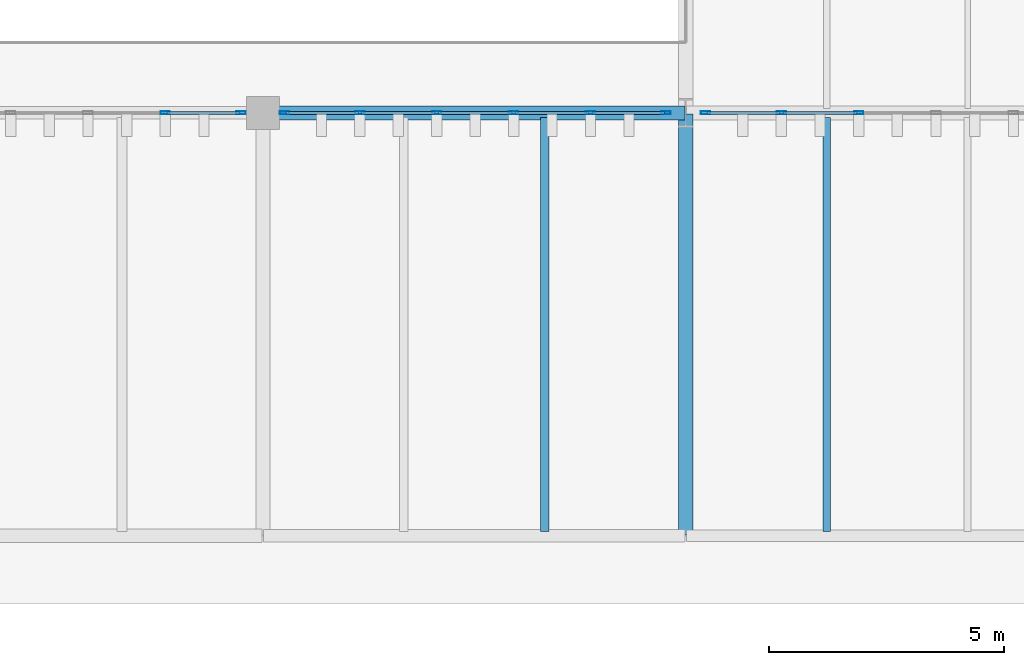
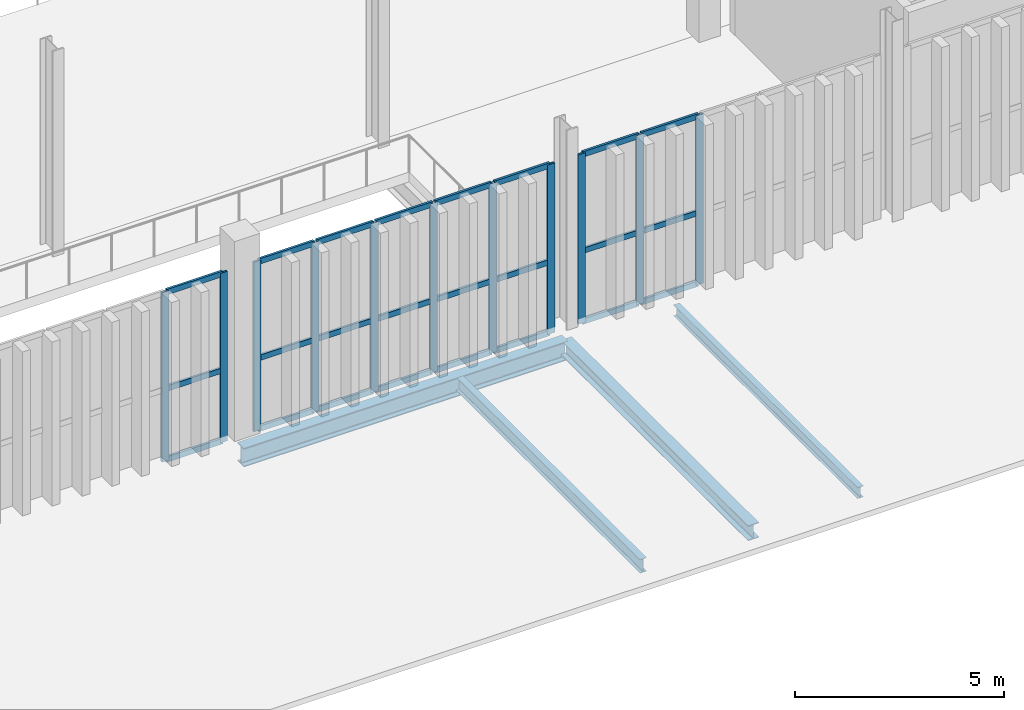
# One storey, part 67 of 211: 35 members, 4 beams, 3 elements without a shape of their own.
"""IFC4 building model written with IfcOpenShell, lengths in metres."""

from ifc_helpers import new_model, si_unit, direction, frame, origin, origin_2d, place, context, subcontext, project, spatial, hollow_rectangle, i_section, extrude, material, layer, layer_set, material_profile, profile_set, type_object, element, aggregate, save


model = new_model("IFC4")

# Units and contexts
model_context = context("Model", 3, precision=1e-05, world=origin(), true_north=direction((0.0, 1.0)))
body_context = subcontext(model_context, "Body", "Model", "MODEL_VIEW")
ifc_project = project(units=[si_unit("LENGTHUNIT", "METRE"), si_unit("AREAUNIT", "SQUARE_METRE"), si_unit("VOLUMEUNIT", "CUBIC_METRE"), si_unit("PLANEANGLEUNIT", "RADIAN"), si_unit("MASSUNIT", "GRAM", prefix="KILO")], contexts=[model_context])

# Site, building, storey
site_placement = place(None, origin())
site = spatial("IfcSite", under=ifc_project, at=site_placement, CompositionType="ELEMENT")
building_placement = place(site_placement, origin())
building = spatial("IfcBuilding", under=site, at=building_placement, Name="Barlavento Convention Centre", CompositionType="ELEMENT")
storey_placement = place(building_placement, frame((0.0, 0.0, 6.0)))
storey = spatial("IfcBuildingStorey", under=building, at=storey_placement, Name="L01", CompositionType="ELEMENT", Elevation=6.0)

# Curtain wall, members
ifc_material_1 = material(Name="Powder-coated aluminium and Low-E glass", Category="aluminium")
ifc_layer = layer(ifc_material_1, 0.195068359375)
ifc_layer_set = layer_set([ifc_layer], Name="ARC-CW-FOY-L01")
curtain_wall_type = type_object("IfcCurtainWallType", Name="ARC-CW-FOY-L01", PredefinedType="NOTDEFINED", material=ifc_layer_set)
curtain_wall_1_placement = place(storey_placement, origin())
curtain_wall_1 = element("IfcCurtainWall", 1, at=curtain_wall_1_placement, inside=storey, type_object=curtain_wall_type, Name="L01 unitised curtain wall CW03", PredefinedType="NOTDEFINED")
ifc_material_2 = material(Name="Powder-coated aluminium", Category="aluminium")
ifc_material_profile_1 = material_profile(ifc_material_2, hollow_rectangle(XDim=0.06494140625, YDim=0.199951171875, WallThickness=0.0048828125, at=origin_2d()), Name="AL-MULL 65x200x5")
ifc_profile_set_1 = profile_set([ifc_material_profile_1], Name="Powder-coated aluminium")
member_type_1 = type_object("IfcMemberType", Name="ARC-CWM-65X200", PredefinedType="MULLION", material=ifc_profile_set_1)
member_1_placement = place(storey_placement, frame((96.92431640625, 45.0, 0.0), z_axis=(0.0, 0.0, 1.0), x_axis=(0.0, 1.0, 0.0)))
member_1 = element("IfcMember", 2, at=member_1_placement, type_object=member_type_1, Name="CW03 mullion 5", PredefinedType="MULLION", context=body_context, shape_type="SweptSolid", body=[
    extrude(hollow_rectangle(XDim=0.06494140625, YDim=0.199951171875, WallThickness=0.0048828125, at=origin_2d()), origin(), (0.0, 0.0, 1.0), 4.949951171875),
])
member_2_placement = place(storey_placement, frame((98.53759765625, 45.0, 0.0), z_axis=(0.0, 0.0, 1.0), x_axis=(0.0, 1.0, 0.0)))
member_2 = element("IfcMember", 3, at=member_2_placement, type_object=member_type_1, Name="CW03 mullion 6", PredefinedType="MULLION", context=body_context, shape_type="SweptSolid", body=[
    extrude(hollow_rectangle(XDim=0.06494140625, YDim=0.199951171875, WallThickness=0.0048828125, at=origin_2d()), origin(), (0.0, 0.0, 1.0), 4.949951171875),
])

curtain_wall_2_placement = place(storey_placement, origin())
curtain_wall_2 = element("IfcCurtainWall", 4, at=curtain_wall_2_placement, inside=storey, type_object=curtain_wall_type, Name="L01 unitised curtain wall CW03", PredefinedType="NOTDEFINED")
member_3_placement = place(storey_placement, frame((99.46240234375, 45.0, 0.0), z_axis=(0.0, 0.0, 1.0), x_axis=(0.0, 1.0, 0.0)))
member_3 = element("IfcMember", 5, at=member_3_placement, type_object=member_type_1, Name="CW03 mullion 1", PredefinedType="MULLION", context=body_context, shape_type="SweptSolid", body=[
    extrude(hollow_rectangle(XDim=0.06494140625, YDim=0.199951171875, WallThickness=0.0048828125, at=origin_2d()), origin(), (0.0, 0.0, 1.0), 4.949951171875),
])
member_4_placement = place(storey_placement, frame((101.06591796875, 45.0, 0.0), z_axis=(0.0, 0.0, 1.0), x_axis=(0.0, 1.0, 0.0)))
member_4 = element("IfcMember", 6, at=member_4_placement, type_object=member_type_1, Name="CW03 mullion 2", PredefinedType="MULLION", context=body_context, shape_type="SweptSolid", body=[
    extrude(hollow_rectangle(XDim=0.06494140625, YDim=0.199951171875, WallThickness=0.0048828125, at=origin_2d()), origin(), (0.0, 0.0, 1.0), 4.949951171875),
])
member_5_placement = place(storey_placement, frame((102.701904296875, 45.0, 0.0), z_axis=(0.0, 0.0, 1.0), x_axis=(0.0, 1.0, 0.0)))
member_5 = element("IfcMember", 7, at=member_5_placement, type_object=member_type_1, Name="CW03 mullion 3", PredefinedType="MULLION", context=body_context, shape_type="SweptSolid", body=[
    extrude(hollow_rectangle(XDim=0.06494140625, YDim=0.199951171875, WallThickness=0.0048828125, at=origin_2d()), origin(), (0.0, 0.0, 1.0), 4.949951171875),
])
member_6_placement = place(storey_placement, frame((104.337890625, 45.0, 0.0), z_axis=(0.0, 0.0, 1.0), x_axis=(0.0, 1.0, 0.0)))
member_6 = element("IfcMember", 8, at=member_6_placement, type_object=member_type_1, Name="CW03 mullion 4", PredefinedType="MULLION", context=body_context, shape_type="SweptSolid", body=[
    extrude(hollow_rectangle(XDim=0.06494140625, YDim=0.199951171875, WallThickness=0.0048828125, at=origin_2d()), origin(), (0.0, 0.0, 1.0), 4.949951171875),
])
member_7_placement = place(storey_placement, frame((105.97412109375, 45.0, 0.0), z_axis=(0.0, 0.0, 1.0), x_axis=(0.0, 1.0, 0.0)))
member_7 = element("IfcMember", 9, at=member_7_placement, type_object=member_type_1, Name="CW03 mullion 5", PredefinedType="MULLION", context=body_context, shape_type="SweptSolid", body=[
    extrude(hollow_rectangle(XDim=0.06494140625, YDim=0.199951171875, WallThickness=0.0048828125, at=origin_2d()), origin(), (0.0, 0.0, 1.0), 4.949951171875),
])
member_8_placement = place(storey_placement, frame((107.577392578125, 45.0, 0.0), z_axis=(0.0, 0.0, 1.0), x_axis=(0.0, 1.0, 0.0)))
member_8 = element("IfcMember", 10, at=member_8_placement, type_object=member_type_1, Name="CW03 mullion 6", PredefinedType="MULLION", context=body_context, shape_type="SweptSolid", body=[
    extrude(hollow_rectangle(XDim=0.06494140625, YDim=0.199951171875, WallThickness=0.0048828125, at=origin_2d()), origin(), (0.0, 0.0, 1.0), 4.949951171875),
])

curtain_wall_3_placement = place(storey_placement, origin())
curtain_wall_3 = element("IfcCurtainWall", 11, at=curtain_wall_3_placement, inside=storey, type_object=curtain_wall_type, Name="L01 unitised curtain wall CW03", PredefinedType="NOTDEFINED")
member_9_placement = place(storey_placement, frame((108.422607421875, 45.0, 0.0), z_axis=(0.0, 0.0, 1.0), x_axis=(0.0, 1.0, 0.0)))
member_9 = element("IfcMember", 12, at=member_9_placement, type_object=member_type_1, Name="CW03 mullion 1", PredefinedType="MULLION", context=body_context, shape_type="SweptSolid", body=[
    extrude(hollow_rectangle(XDim=0.06494140625, YDim=0.199951171875, WallThickness=0.0048828125, at=origin_2d()), origin(), (0.0, 0.0, 1.0), 4.949951171875),
])
member_10_placement = place(storey_placement, frame((110.035888671875, 45.0, 0.0), z_axis=(0.0, 0.0, 1.0), x_axis=(0.0, 1.0, 0.0)))
member_10 = element("IfcMember", 13, at=member_10_placement, type_object=member_type_1, Name="CW03 mullion 2", PredefinedType="MULLION", context=body_context, shape_type="SweptSolid", body=[
    extrude(hollow_rectangle(XDim=0.06494140625, YDim=0.199951171875, WallThickness=0.0048828125, at=origin_2d()), origin(), (0.0, 0.0, 1.0), 4.949951171875),
])
member_11_placement = place(storey_placement, frame((111.681884765625, 45.0, 0.0), z_axis=(0.0, 0.0, 1.0), x_axis=(0.0, 1.0, 0.0)))
member_11 = element("IfcMember", 14, at=member_11_placement, type_object=member_type_1, Name="CW03 mullion 3", PredefinedType="MULLION", context=body_context, shape_type="SweptSolid", body=[
    extrude(hollow_rectangle(XDim=0.06494140625, YDim=0.199951171875, WallThickness=0.0048828125, at=origin_2d()), origin(), (0.0, 0.0, 1.0), 4.949951171875),
])

# Member
ifc_material_profile_2 = material_profile(ifc_material_2, hollow_rectangle(XDim=0.06494140625, YDim=0.159912109375, WallThickness=0.0048828125, at=origin_2d()), Name="AL-TRAN 65x160x5")
ifc_profile_set_2 = profile_set([ifc_material_profile_2], Name="Powder-coated aluminium")
member_type_2 = type_object("IfcMemberType", Name="ARC-CWT-65X160", PredefinedType="USERDEFINED", material=ifc_profile_set_2)
member_12_placement = place(storey_placement, frame((96.956787109375, 45.0, 0.032470703125), z_axis=(1.0, 0.0, 0.0), x_axis=(0.0, 1.0, 0.0)))
member_12 = element("IfcMember", 15, at=member_12_placement, type_object=member_type_2, Name="CW03 transom 5.1", ObjectType="TRANSOM", PredefinedType="USERDEFINED", context=body_context, shape_type="SweptSolid", body=[
    extrude(hollow_rectangle(XDim=0.06494140625, YDim=0.159912109375, WallThickness=0.0048828125, at=origin_2d()), origin(), (0.0, 0.0, 1.0), 1.548095703125),
])

member_13_placement = place(storey_placement, frame((96.956787109375, 45.0, 2.10009765625), z_axis=(1.0, 0.0, 0.0), x_axis=(0.0, 1.0, 0.0)))
member_13 = element("IfcMember", 16, at=member_13_placement, type_object=member_type_2, Name="CW03 transom 5.2", ObjectType="TRANSOM", PredefinedType="USERDEFINED", context=body_context, shape_type="SweptSolid", body=[
    extrude(hollow_rectangle(XDim=0.06494140625, YDim=0.159912109375, WallThickness=0.0048828125, at=origin_2d()), origin(), (0.0, 0.0, 1.0), 1.548095703125),
])

member_14_placement = place(storey_placement, frame((96.956787109375, 45.0, 4.91748046875), z_axis=(1.0, 0.0, 0.0), x_axis=(0.0, 1.0, 0.0)))
member_14 = element("IfcMember", 17, at=member_14_placement, type_object=member_type_2, Name="CW03 transom 5.3", ObjectType="TRANSOM", PredefinedType="USERDEFINED", context=body_context, shape_type="SweptSolid", body=[
    extrude(hollow_rectangle(XDim=0.06494140625, YDim=0.159912109375, WallThickness=0.0048828125, at=origin_2d()), origin(), (0.0, 0.0, 1.0), 1.548095703125),
])

aggregate(curtain_wall_1, [member_1, member_2, member_12, member_13, member_14])

member_15_placement = place(storey_placement, frame((99.4951171875, 45.0, 0.032470703125), z_axis=(1.0, 0.0, 0.0), x_axis=(0.0, 1.0, 0.0)))
member_15 = element("IfcMember", 18, at=member_15_placement, type_object=member_type_2, Name="CW03 transom 1.1", ObjectType="TRANSOM", PredefinedType="USERDEFINED", context=body_context, shape_type="SweptSolid", body=[
    extrude(hollow_rectangle(XDim=0.06494140625, YDim=0.159912109375, WallThickness=0.0048828125, at=origin_2d()), origin(), (0.0, 0.0, 1.0), 1.538330078125),
])

member_16_placement = place(storey_placement, frame((99.4951171875, 45.0, 2.10009765625), z_axis=(1.0, 0.0, 0.0), x_axis=(0.0, 1.0, 0.0)))
member_16 = element("IfcMember", 19, at=member_16_placement, type_object=member_type_2, Name="CW03 transom 1.2", ObjectType="TRANSOM", PredefinedType="USERDEFINED", context=body_context, shape_type="SweptSolid", body=[
    extrude(hollow_rectangle(XDim=0.06494140625, YDim=0.159912109375, WallThickness=0.0048828125, at=origin_2d()), origin(), (0.0, 0.0, 1.0), 1.538330078125),
])

member_17_placement = place(storey_placement, frame((99.4951171875, 45.0, 4.91748046875), z_axis=(1.0, 0.0, 0.0), x_axis=(0.0, 1.0, 0.0)))
member_17 = element("IfcMember", 20, at=member_17_placement, type_object=member_type_2, Name="CW03 transom 1.3", ObjectType="TRANSOM", PredefinedType="USERDEFINED", context=body_context, shape_type="SweptSolid", body=[
    extrude(hollow_rectangle(XDim=0.06494140625, YDim=0.159912109375, WallThickness=0.0048828125, at=origin_2d()), origin(), (0.0, 0.0, 1.0), 1.538330078125),
])

member_18_placement = place(storey_placement, frame((101.098388671875, 45.0, 0.032470703125), z_axis=(1.0, 0.0, 0.0), x_axis=(0.0, 1.0, 0.0)))
member_18 = element("IfcMember", 21, at=member_18_placement, type_object=member_type_2, Name="CW03 transom 2.1", ObjectType="TRANSOM", PredefinedType="USERDEFINED", context=body_context, shape_type="SweptSolid", body=[
    extrude(hollow_rectangle(XDim=0.06494140625, YDim=0.159912109375, WallThickness=0.0048828125, at=origin_2d()), origin(), (0.0, 0.0, 1.0), 1.571044921875),
])

member_19_placement = place(storey_placement, frame((101.098388671875, 45.0, 2.10009765625), z_axis=(1.0, 0.0, 0.0), x_axis=(0.0, 1.0, 0.0)))
member_19 = element("IfcMember", 22, at=member_19_placement, type_object=member_type_2, Name="CW03 transom 2.2", ObjectType="TRANSOM", PredefinedType="USERDEFINED", context=body_context, shape_type="SweptSolid", body=[
    extrude(hollow_rectangle(XDim=0.06494140625, YDim=0.159912109375, WallThickness=0.0048828125, at=origin_2d()), origin(), (0.0, 0.0, 1.0), 1.571044921875),
])

member_20_placement = place(storey_placement, frame((101.098388671875, 45.0, 4.91748046875), z_axis=(1.0, 0.0, 0.0), x_axis=(0.0, 1.0, 0.0)))
member_20 = element("IfcMember", 23, at=member_20_placement, type_object=member_type_2, Name="CW03 transom 2.3", ObjectType="TRANSOM", PredefinedType="USERDEFINED", context=body_context, shape_type="SweptSolid", body=[
    extrude(hollow_rectangle(XDim=0.06494140625, YDim=0.159912109375, WallThickness=0.0048828125, at=origin_2d()), origin(), (0.0, 0.0, 1.0), 1.571044921875),
])

member_21_placement = place(storey_placement, frame((102.734619140625, 45.0, 0.032470703125), z_axis=(1.0, 0.0, 0.0), x_axis=(0.0, 1.0, 0.0)))
member_21 = element("IfcMember", 24, at=member_21_placement, type_object=member_type_2, Name="CW03 transom 3.1", ObjectType="TRANSOM", PredefinedType="USERDEFINED", context=body_context, shape_type="SweptSolid", body=[
    extrude(hollow_rectangle(XDim=0.06494140625, YDim=0.159912109375, WallThickness=0.0048828125, at=origin_2d()), origin(), (0.0, 0.0, 1.0), 1.57080078125),
])

member_22_placement = place(storey_placement, frame((102.734619140625, 45.0, 2.10009765625), z_axis=(1.0, 0.0, 0.0), x_axis=(0.0, 1.0, 0.0)))
member_22 = element("IfcMember", 25, at=member_22_placement, type_object=member_type_2, Name="CW03 transom 3.2", ObjectType="TRANSOM", PredefinedType="USERDEFINED", context=body_context, shape_type="SweptSolid", body=[
    extrude(hollow_rectangle(XDim=0.06494140625, YDim=0.159912109375, WallThickness=0.0048828125, at=origin_2d()), origin(), (0.0, 0.0, 1.0), 1.57080078125),
])

member_23_placement = place(storey_placement, frame((102.734619140625, 45.0, 4.91748046875), z_axis=(1.0, 0.0, 0.0), x_axis=(0.0, 1.0, 0.0)))
member_23 = element("IfcMember", 26, at=member_23_placement, type_object=member_type_2, Name="CW03 transom 3.3", ObjectType="TRANSOM", PredefinedType="USERDEFINED", context=body_context, shape_type="SweptSolid", body=[
    extrude(hollow_rectangle(XDim=0.06494140625, YDim=0.159912109375, WallThickness=0.0048828125, at=origin_2d()), origin(), (0.0, 0.0, 1.0), 1.57080078125),
])

member_24_placement = place(storey_placement, frame((104.37060546875, 45.0, 0.032470703125), z_axis=(1.0, 0.0, 0.0), x_axis=(0.0, 1.0, 0.0)))
member_24 = element("IfcMember", 27, at=member_24_placement, type_object=member_type_2, Name="CW03 transom 4.1", ObjectType="TRANSOM", PredefinedType="USERDEFINED", context=body_context, shape_type="SweptSolid", body=[
    extrude(hollow_rectangle(XDim=0.06494140625, YDim=0.159912109375, WallThickness=0.0048828125, at=origin_2d()), origin(), (0.0, 0.0, 1.0), 1.57080078125),
])

member_25_placement = place(storey_placement, frame((104.37060546875, 45.0, 2.10009765625), z_axis=(1.0, 0.0, 0.0), x_axis=(0.0, 1.0, 0.0)))
member_25 = element("IfcMember", 28, at=member_25_placement, type_object=member_type_2, Name="CW03 transom 4.2", ObjectType="TRANSOM", PredefinedType="USERDEFINED", context=body_context, shape_type="SweptSolid", body=[
    extrude(hollow_rectangle(XDim=0.06494140625, YDim=0.159912109375, WallThickness=0.0048828125, at=origin_2d()), origin(), (0.0, 0.0, 1.0), 1.57080078125),
])

member_26_placement = place(storey_placement, frame((104.37060546875, 45.0, 4.91748046875), z_axis=(1.0, 0.0, 0.0), x_axis=(0.0, 1.0, 0.0)))
member_26 = element("IfcMember", 29, at=member_26_placement, type_object=member_type_2, Name="CW03 transom 4.3", ObjectType="TRANSOM", PredefinedType="USERDEFINED", context=body_context, shape_type="SweptSolid", body=[
    extrude(hollow_rectangle(XDim=0.06494140625, YDim=0.159912109375, WallThickness=0.0048828125, at=origin_2d()), origin(), (0.0, 0.0, 1.0), 1.57080078125),
])

member_27_placement = place(storey_placement, frame((106.006591796875, 45.0, 0.032470703125), z_axis=(1.0, 0.0, 0.0), x_axis=(0.0, 1.0, 0.0)))
member_27 = element("IfcMember", 30, at=member_27_placement, type_object=member_type_2, Name="CW03 transom 5.1", ObjectType="TRANSOM", PredefinedType="USERDEFINED", context=body_context, shape_type="SweptSolid", body=[
    extrude(hollow_rectangle(XDim=0.06494140625, YDim=0.159912109375, WallThickness=0.0048828125, at=origin_2d()), origin(), (0.0, 0.0, 1.0), 1.538330078125),
])

member_28_placement = place(storey_placement, frame((106.006591796875, 45.0, 2.10009765625), z_axis=(1.0, 0.0, 0.0), x_axis=(0.0, 1.0, 0.0)))
member_28 = element("IfcMember", 31, at=member_28_placement, type_object=member_type_2, Name="CW03 transom 5.2", ObjectType="TRANSOM", PredefinedType="USERDEFINED", context=body_context, shape_type="SweptSolid", body=[
    extrude(hollow_rectangle(XDim=0.06494140625, YDim=0.159912109375, WallThickness=0.0048828125, at=origin_2d()), origin(), (0.0, 0.0, 1.0), 1.538330078125),
])

member_29_placement = place(storey_placement, frame((106.006591796875, 45.0, 4.91748046875), z_axis=(1.0, 0.0, 0.0), x_axis=(0.0, 1.0, 0.0)))
member_29 = element("IfcMember", 32, at=member_29_placement, type_object=member_type_2, Name="CW03 transom 5.3", ObjectType="TRANSOM", PredefinedType="USERDEFINED", context=body_context, shape_type="SweptSolid", body=[
    extrude(hollow_rectangle(XDim=0.06494140625, YDim=0.159912109375, WallThickness=0.0048828125, at=origin_2d()), origin(), (0.0, 0.0, 1.0), 1.538330078125),
])

aggregate(curtain_wall_2, [member_3, member_4, member_5, member_6, member_7, member_8, member_15, member_16, member_17, member_18, member_19, member_20, member_21, member_22, member_23, member_24, member_25, member_26, member_27, member_28, member_29])

member_30_placement = place(storey_placement, frame((108.455078125, 45.0, 0.032470703125), z_axis=(1.0, 0.0, 0.0), x_axis=(0.0, 1.0, 0.0)))
member_30 = element("IfcMember", 33, at=member_30_placement, type_object=member_type_2, Name="CW03 transom 1.1", ObjectType="TRANSOM", PredefinedType="USERDEFINED", context=body_context, shape_type="SweptSolid", body=[
    extrude(hollow_rectangle(XDim=0.06494140625, YDim=0.159912109375, WallThickness=0.0048828125, at=origin_2d()), origin(), (0.0, 0.0, 1.0), 1.54833984375),
])

member_31_placement = place(storey_placement, frame((108.455078125, 45.0, 2.10009765625), z_axis=(1.0, 0.0, 0.0), x_axis=(0.0, 1.0, 0.0)))
member_31 = element("IfcMember", 34, at=member_31_placement, type_object=member_type_2, Name="CW03 transom 1.2", ObjectType="TRANSOM", PredefinedType="USERDEFINED", context=body_context, shape_type="SweptSolid", body=[
    extrude(hollow_rectangle(XDim=0.06494140625, YDim=0.159912109375, WallThickness=0.0048828125, at=origin_2d()), origin(), (0.0, 0.0, 1.0), 1.54833984375),
])

member_32_placement = place(storey_placement, frame((108.455078125, 45.0, 4.91748046875), z_axis=(1.0, 0.0, 0.0), x_axis=(0.0, 1.0, 0.0)))
member_32 = element("IfcMember", 35, at=member_32_placement, type_object=member_type_2, Name="CW03 transom 1.3", ObjectType="TRANSOM", PredefinedType="USERDEFINED", context=body_context, shape_type="SweptSolid", body=[
    extrude(hollow_rectangle(XDim=0.06494140625, YDim=0.159912109375, WallThickness=0.0048828125, at=origin_2d()), origin(), (0.0, 0.0, 1.0), 1.54833984375),
])

member_33_placement = place(storey_placement, frame((110.068603515625, 45.0, 0.032470703125), z_axis=(1.0, 0.0, 0.0), x_axis=(0.0, 1.0, 0.0)))
member_33 = element("IfcMember", 36, at=member_33_placement, type_object=member_type_2, Name="CW03 transom 2.1", ObjectType="TRANSOM", PredefinedType="USERDEFINED", context=body_context, shape_type="SweptSolid", body=[
    extrude(hollow_rectangle(XDim=0.06494140625, YDim=0.159912109375, WallThickness=0.0048828125, at=origin_2d()), origin(), (0.0, 0.0, 1.0), 1.580810546875),
])

member_34_placement = place(storey_placement, frame((110.068603515625, 45.0, 2.10009765625), z_axis=(1.0, 0.0, 0.0), x_axis=(0.0, 1.0, 0.0)))
member_34 = element("IfcMember", 37, at=member_34_placement, type_object=member_type_2, Name="CW03 transom 2.2", ObjectType="TRANSOM", PredefinedType="USERDEFINED", context=body_context, shape_type="SweptSolid", body=[
    extrude(hollow_rectangle(XDim=0.06494140625, YDim=0.159912109375, WallThickness=0.0048828125, at=origin_2d()), origin(), (0.0, 0.0, 1.0), 1.580810546875),
])

member_35_placement = place(storey_placement, frame((110.068603515625, 45.0, 4.91748046875), z_axis=(1.0, 0.0, 0.0), x_axis=(0.0, 1.0, 0.0)))
member_35 = element("IfcMember", 38, at=member_35_placement, type_object=member_type_2, Name="CW03 transom 2.3", ObjectType="TRANSOM", PredefinedType="USERDEFINED", context=body_context, shape_type="SweptSolid", body=[
    extrude(hollow_rectangle(XDim=0.06494140625, YDim=0.159912109375, WallThickness=0.0048828125, at=origin_2d()), origin(), (0.0, 0.0, 1.0), 1.580810546875),
])

aggregate(curtain_wall_3, [member_9, member_10, member_11, member_30, member_31, member_32, member_33, member_34, member_35])

# Beams
ifc_material_3 = material(Name="Steel S355", Category="steel")
ifc_material_profile_3 = material_profile(ifc_material_3, i_section(OverallWidth=0.159912109375, OverallDepth=0.330078125, WebThickness=0.007568359375, FlangeThickness=0.011474609375, FilletRadius=0.01806640625, at=origin_2d()), Name="IPE 330")
ifc_profile_set_3 = profile_set([ifc_material_profile_3], Name="Steel S355")
beam_type_1 = type_object("IfcBeamType", Name="STR-BM-JST-IPE330", PredefinedType="JOIST", material=ifc_profile_set_3)
beam_1_placement = place(storey_placement, frame((111.0, 36.094970703125, -0.455078125), z_axis=(0.0, 1.0, 0.0), x_axis=(-1.0, 0.0, 0.0)))
element("IfcBeam", 39, at=beam_1_placement, inside=storey, type_object=beam_type_1, Name="L01 composite floor joist SJ06", PredefinedType="JOIST", context=body_context, shape_type="SweptSolid", body=[
    extrude(i_section(OverallWidth=0.159912109375, OverallDepth=0.330078125, WebThickness=0.007568359375, FlangeThickness=0.011474609375, FilletRadius=0.01806640625, at=origin_2d()), origin(), (0.0, 0.0, 1.0), 8.81005859375),
])
ifc_material_profile_4 = material_profile(ifc_material_3, i_section(OverallWidth=0.179931640625, OverallDepth=0.39990234375, WebThickness=0.008544921875, FlangeThickness=0.013427734375, FilletRadius=0.02099609375, at=origin_2d()), Name="IPE 400")
ifc_profile_set_4 = profile_set([ifc_material_profile_4], Name="Steel S355")
beam_type_2 = type_object("IfcBeamType", Name="STR-BM-JST-IPE400", PredefinedType="JOIST", material=ifc_profile_set_4)
beam_2_placement = place(storey_placement, frame((105.0, 36.094970703125, -0.489990234375), z_axis=(0.0, 1.0, 0.0), x_axis=(-1.0, 0.0, 0.0)))
element("IfcBeam", 40, at=beam_2_placement, inside=storey, type_object=beam_type_2, Name="L01 composite floor joist SJ04", PredefinedType="JOIST", context=body_context, shape_type="SweptSolid", body=[
    extrude(i_section(OverallWidth=0.179931640625, OverallDepth=0.39990234375, WebThickness=0.008544921875, FlangeThickness=0.013427734375, FilletRadius=0.02099609375, at=origin_2d()), origin(), (0.0, 0.0, 1.0), 8.81005859375),
])
ifc_material_profile_5 = material_profile(ifc_material_3, i_section(OverallWidth=0.300048828125, OverallDepth=0.43994140625, WebThickness=0.011474609375, FlangeThickness=0.02099609375, FilletRadius=0.027099609375, at=origin_2d()), Name="HEA 450")
ifc_profile_set_5 = profile_set([ifc_material_profile_5], Name="Steel S355")
beam_type_3 = type_object("IfcBeamType", Name="STR-BM-PRI-HEA450", PredefinedType="BEAM", material=ifc_profile_set_5)
beam_3_placement = place(storey_placement, frame((108.0, 36.02001953125, -0.510009765625), z_axis=(0.0, 1.0, 0.0), x_axis=(-1.0, 0.0, 0.0)))
element("IfcBeam", 41, at=beam_3_placement, inside=storey, type_object=beam_type_3, Name="L01 grid girder BG21", PredefinedType="BEAM", context=body_context, shape_type="SweptSolid", body=[
    extrude(i_section(OverallWidth=0.300048828125, OverallDepth=0.43994140625, WebThickness=0.011474609375, FlangeThickness=0.02099609375, FilletRadius=0.027099609375, at=origin_2d()), origin(), (0.0, 0.0, 1.0), 8.9599609375),
])
ifc_material_profile_6 = material_profile(ifc_material_3, i_section(OverallWidth=0.300048828125, OverallDepth=0.550048828125, WebThickness=0.014892578125, FlangeThickness=0.029052734375, FilletRadius=0.027099609375, at=origin_2d()), Name="HEB 550")
ifc_profile_set_6 = profile_set([ifc_material_profile_6], Name="Steel S355")
beam_type_4 = type_object("IfcBeamType", Name="STR-BM-PRI-HEB550", PredefinedType="BEAM", material=ifc_profile_set_6)
beam_4_placement = place(storey_placement, frame((99.02001953125, 45.0, -0.56494140625), z_axis=(1.0, 0.0, 0.0), x_axis=(0.0, 1.0, 0.0)))
element("IfcBeam", 42, at=beam_4_placement, inside=storey, type_object=beam_type_4, Name="L01 primary girder BG08", PredefinedType="BEAM", context=body_context, shape_type="SweptSolid", body=[
    extrude(i_section(OverallWidth=0.300048828125, OverallDepth=0.550048828125, WebThickness=0.014892578125, FlangeThickness=0.029052734375, FilletRadius=0.027099609375, at=origin_2d()), origin(), (0.0, 0.0, 1.0), 8.9599609375),
])

save(model, "model.ifc")
